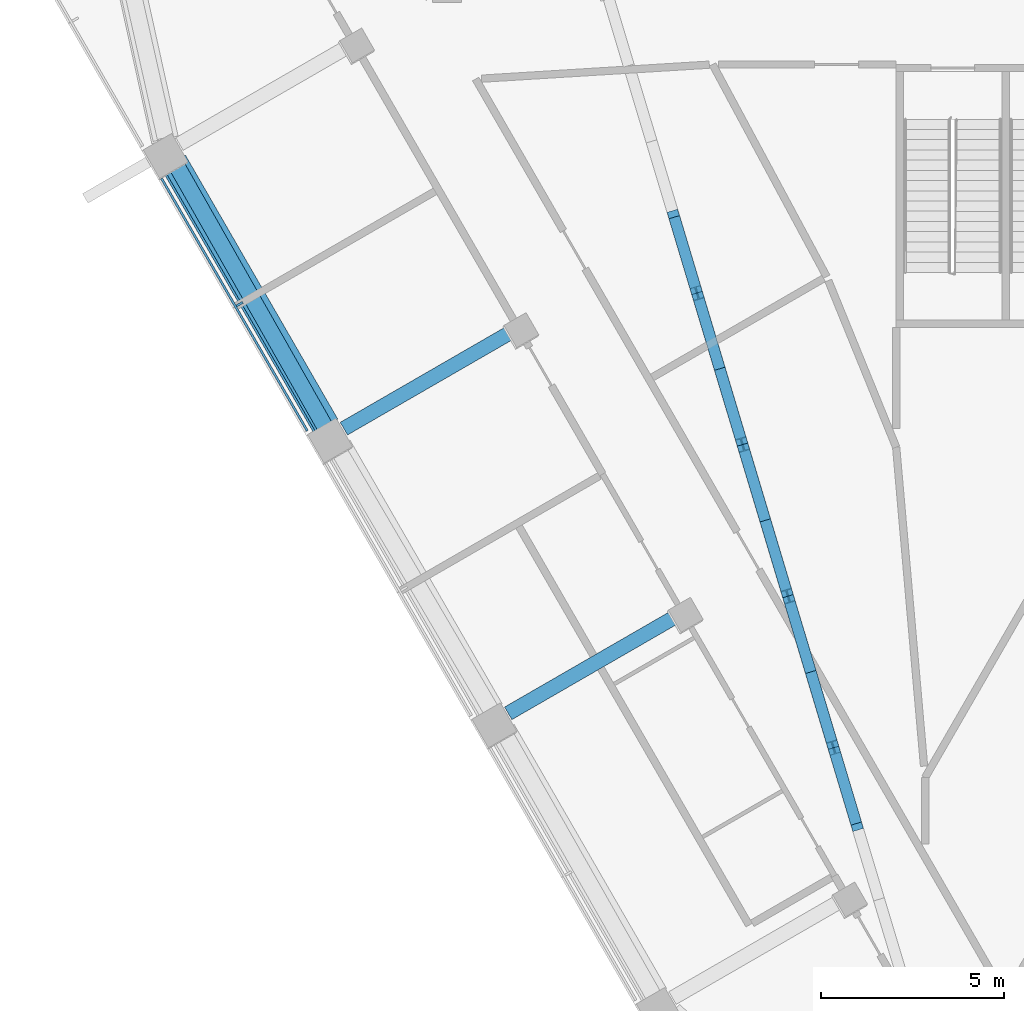
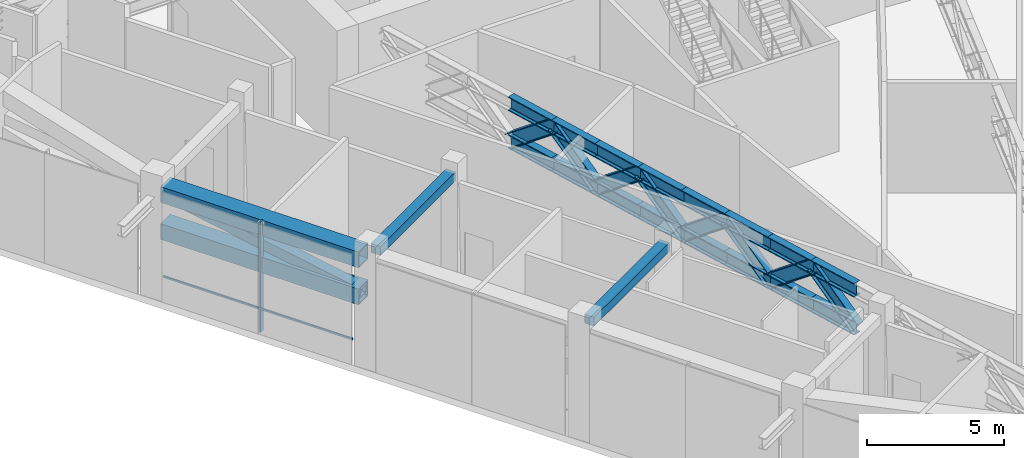
# One storey, part 3 of 15: 29 members, 2 beams, 1 element without a shape of its own.
"""IFC4 building model written with IfcOpenShell, lengths in metres."""

from ifc_helpers import new_model, si_unit, direction, frame, origin, origin_2d, place, context, subcontext, project, spatial, rectangle, hollow_rectangle, i_section, extrude, material, layer, layer_set, material_profile, profile_set, type_object, element, aggregate, save


model = new_model("IFC4")

# Units and contexts
model_context = context("Model", 3, precision=1e-05, world=origin(), true_north=direction((0.0, 1.0)))
body_context = subcontext(model_context, "Body", "Model", "MODEL_VIEW")
ifc_project = project(units=[si_unit("LENGTHUNIT", "METRE"), si_unit("AREAUNIT", "SQUARE_METRE"), si_unit("VOLUMEUNIT", "CUBIC_METRE"), si_unit("PLANEANGLEUNIT", "RADIAN"), si_unit("MASSUNIT", "GRAM", prefix="KILO")], contexts=[model_context])

# Site, building, storey
site_placement = place(None, origin())
site = spatial("IfcSite", under=ifc_project, at=site_placement, CompositionType="ELEMENT")
building_placement = place(site_placement, origin())
building = spatial("IfcBuilding", under=site, at=building_placement, Name="Altiplano Prism Tower", CompositionType="ELEMENT")
storey_placement = place(building_placement, frame((0.0, 0.0, 95.39990234375)))
storey = spatial("IfcBuildingStorey", under=building, at=storey_placement, Name="L24", CompositionType="ELEMENT", Elevation=95.39990234375)

# Members
ifc_material_1 = material(Name="Steel S355", Category="steel")
ifc_material_profile_1 = material_profile(ifc_material_1, hollow_rectangle(XDim=0.699951171875, YDim=0.699951171875, WallThickness=0.034912109375, at=origin_2d()), Name="Belt chord Box 700x700x35")
ifc_profile_set_1 = profile_set([ifc_material_profile_1], Name="Steel S355")
member_type_1 = type_object("IfcMemberType", Name="Belt chord Box 700x700x35", PredefinedType="CHORD", material=ifc_profile_set_1)
member_1_placement = place(storey_placement, frame((62.20361328125, 87.87646484375, 2.9501953125), z_axis=(0.499992746786, -0.866029591389, 0.0), x_axis=(0.866029591389, 0.499992746786, 0.0)))
element("IfcMember", 1, at=member_1_placement, inside=storey, type_object=member_type_1, Name="Belt truss R1 chord b6", PredefinedType="CHORD", context=body_context, shape_type="SweptSolid", body=[
    extrude(hollow_rectangle(XDim=0.699951171875, YDim=0.699951171875, WallThickness=0.034912109375, at=origin_2d()), origin(), (0.0, 0.0, 1.0), 8.33984375),
])
member_2_placement = place(storey_placement, frame((62.239013671875, 87.93798828125, 4.550048828125), z_axis=(0.500014701701, -0.866016915587, 0.0), x_axis=(0.866016915587, 0.500014701701, 0.0)))
element("IfcMember", 2, at=member_2_placement, inside=storey, type_object=member_type_1, Name="Belt truss R1 chord t6", PredefinedType="CHORD", context=body_context, shape_type="SweptSolid", body=[
    extrude(hollow_rectangle(XDim=0.699951171875, YDim=0.699951171875, WallThickness=0.034912109375, at=origin_2d()), origin(), (0.0, 0.0, 1.0), 8.340087890625),
])
ifc_material_profile_2 = material_profile(ifc_material_1, hollow_rectangle(XDim=0.449951171875, YDim=0.449951171875, WallThickness=0.02490234375, at=origin_2d()), Name="Belt diagonal Box 450x450x25")
ifc_profile_set_2 = profile_set([ifc_material_profile_2], Name="Steel S355")
member_type_2 = type_object("IfcMemberType", Name="Belt diagonal Box 450x450x25", PredefinedType="BRACE", material=ifc_profile_set_2)
member_3_placement = place(storey_placement, frame((62.237060546875, 87.93701171875, 4.49169921875), z_axis=(0.486525163526, -0.856090263258, -0.174363776085), x_axis=(0.869408465859, 0.494094039118, 0.0)))
element("IfcMember", 3, at=member_3_placement, inside=storey, type_object=member_type_2, Name="Belt truss R1 diagonal 6", PredefinedType="BRACE", context=body_context, shape_type="SweptSolid", body=[
    extrude(hollow_rectangle(XDim=0.449951171875, YDim=0.449951171875, WallThickness=0.02490234375, at=origin_2d()), origin(), (0.0, 0.0, 1.0), 8.506103515625),
])

# Curtain wall, members
ifc_material_2 = material(Name="Aluminium and glass", Category="aluminium")
ifc_layer = layer(ifc_material_2, 0.320068359375)
ifc_layer_set = layer_set([ifc_layer], Name="Aluminium and glass")
curtain_wall_type = type_object("IfcCurtainWallType", Name="CW6 louvred plant-floor curtain wall", PredefinedType="NOTDEFINED", material=ifc_layer_set)
curtain_wall_placement = place(storey_placement, origin())
curtain_wall = element("IfcCurtainWall", 4, at=curtain_wall_placement, inside=storey, type_object=curtain_wall_type, Name="CW6 curtain wall south-west face L24", PredefinedType="NOTDEFINED")
ifc_material_3 = material(Name="Aluminium", Category="aluminium")
ifc_material_profile_3 = material_profile(ifc_material_3, rectangle(XDim=0.199951171875, YDim=0.06005859375, at=origin_2d()), Name="CW6 mullion 60 x 200")
ifc_profile_set_3 = profile_set([ifc_material_profile_3], Name="Aluminium")
member_type_3 = type_object("IfcMemberType", Name="CW6 mullion 60 x 200", PredefinedType="MULLION", material=ifc_profile_set_3)
member_4_placement = place(storey_placement, frame((64.023681640625, 84.03662109375, 0.0), z_axis=(0.0, 0.0, 1.0), x_axis=(0.86602540498, 0.499999997929, 0.0)))
member_4 = element("IfcMember", 5, at=member_4_placement, type_object=member_type_3, Name="CW6 mullion", PredefinedType="MULLION", context=body_context, shape_type="SweptSolid", body=[
    extrude(rectangle(XDim=0.199951171875, YDim=0.06005859375, at=origin_2d()), origin(), (0.0, 0.0, 1.0), 4.900146484375),
])
ifc_material_profile_4 = material_profile(ifc_material_3, rectangle(XDim=0.06005859375, YDim=0.080078125, at=origin_2d()), Name="CW6 transom 80 x 60")
ifc_profile_set_4 = profile_set([ifc_material_profile_4], Name="Aluminium")
member_type_4 = type_object("IfcMemberType", Name="CW6 transom 80 x 60", PredefinedType="USERDEFINED", material=ifc_profile_set_4)
member_5_placement = place(storey_placement, frame((61.88623046875, 87.47900390625, 1.10009765625), z_axis=(0.499998759335, -0.866026120082, 0.0), x_axis=(0.866026120082, 0.499998759335, 0.0)))
member_5 = element("IfcMember", 6, at=member_5_placement, type_object=member_type_4, Name="CW6 transom", ObjectType="TRANSOM", PredefinedType="USERDEFINED", context=body_context, shape_type="SweptSolid", body=[
    extrude(rectangle(XDim=0.06005859375, YDim=0.080078125, at=origin_2d()), origin(), (0.0, 0.0, 1.0), 7.97998046875),
])
aggregate(curtain_wall, [member_4, member_5])

# Members
ifc_material_profile_5 = material_profile(ifc_material_1, i_section(OverallWidth=0.304931640625, OverallDepth=0.6201171875, WebThickness=0.02099609375, FlangeThickness=0.0400390625, FilletRadius=0.027099609375, at=origin_2d()), Name="Outrigger chord HEM 600")
ifc_profile_set_5 = profile_set([ifc_material_profile_5], Name="Steel S355")
member_type_5 = type_object("IfcMemberType", Name="Outrigger chord HEM 600", PredefinedType="CHORD", material=ifc_profile_set_5)
for number, where, z_axis, x_axis, name in (
    (7, (80.90771484375, 69.81494140625, 2.91015625), (-0.287451261687, 0.957795266304, 0.0), (-0.957795266304, -0.287451261687, 0.0), "Outrigger truss R1 3 chord b7"),
    (8, (80.90771484375, 69.81494140625, 4.590087890625), (-0.287451261687, 0.957795266304, 0.0), (-0.957795266304, -0.287451261687, 0.0), "Outrigger truss R1 3 chord t7"),
):
    element("IfcMember", number, at=place(storey_placement, frame(where, z_axis=z_axis, x_axis=x_axis)), inside=storey, type_object=member_type_5, Name=name, PredefinedType="CHORD", context=body_context, shape_type="SweptSolid", body=[
        extrude(i_section(OverallWidth=0.304931640625, OverallDepth=0.6201171875, WebThickness=0.02099609375, FlangeThickness=0.0400390625, FilletRadius=0.027099609375, at=origin_2d()), origin(), (0.0, 0.0, 1.0), 2.166748046875),
    ])
for number, where, z_axis, x_axis, name in (
    (9, (80.284912109375, 71.89013671875, 2.91015625), (-0.287420241393, 0.957804575494, 0.0), (-0.957804575494, -0.287420241393, 0.0), "Outrigger truss R1 3 chord b8"),
    (10, (80.284912109375, 71.89013671875, 4.590087890625), (-0.287420241393, 0.957804575494, 0.0), (-0.957804575494, -0.287420241393, 0.0), "Outrigger truss R1 3 chord t8"),
    (11, (79.662109375, 73.965576171875, 2.91015625), (-0.287420241393, 0.957804575494, 0.0), (-0.957804575494, -0.287420241393, 0.0), "Outrigger truss R1 3 chord b9"),
    (12, (79.662109375, 73.965576171875, 4.590087890625), (-0.287420241393, 0.957804575494, 0.0), (-0.957804575494, -0.287420241393, 0.0), "Outrigger truss R1 3 chord t9"),
):
    element("IfcMember", number, at=place(storey_placement, frame(where, z_axis=z_axis, x_axis=x_axis)), inside=storey, type_object=member_type_5, Name=name, PredefinedType="CHORD", context=body_context, shape_type="SweptSolid", body=[
        extrude(i_section(OverallWidth=0.304931640625, OverallDepth=0.6201171875, WebThickness=0.02099609375, FlangeThickness=0.0400390625, FilletRadius=0.027099609375, at=origin_2d()), origin(), (0.0, 0.0, 1.0), 2.1669921875),
    ])
for number, where, z_axis, x_axis, name in (
    (13, (79.039306640625, 76.041015625, 2.91015625), (-0.287451261687, 0.957795266304, 0.0), (-0.957795266304, -0.287451261687, 0.0), "Outrigger truss R1 3 chord b10"),
    (14, (79.039306640625, 76.041015625, 4.590087890625), (-0.287451261687, 0.957795266304, 0.0), (-0.957795266304, -0.287451261687, 0.0), "Outrigger truss R1 3 chord t10"),
):
    element("IfcMember", number, at=place(storey_placement, frame(where, z_axis=z_axis, x_axis=x_axis)), inside=storey, type_object=member_type_5, Name=name, PredefinedType="CHORD", context=body_context, shape_type="SweptSolid", body=[
        extrude(i_section(OverallWidth=0.304931640625, OverallDepth=0.6201171875, WebThickness=0.02099609375, FlangeThickness=0.0400390625, FilletRadius=0.027099609375, at=origin_2d()), origin(), (0.0, 0.0, 1.0), 2.166748046875),
    ])
for number, where, z_axis, x_axis, name in (
    (15, (78.41650390625, 78.1162109375, 2.91015625), (-0.287420241393, 0.957804575494, 0.0), (-0.957804575494, -0.287420241393, 0.0), "Outrigger truss R1 3 chord b11"),
    (16, (78.41650390625, 78.1162109375, 4.590087890625), (-0.287420241393, 0.957804575494, 0.0), (-0.957804575494, -0.287420241393, 0.0), "Outrigger truss R1 3 chord t11"),
):
    element("IfcMember", number, at=place(storey_placement, frame(where, z_axis=z_axis, x_axis=x_axis)), inside=storey, type_object=member_type_5, Name=name, PredefinedType="CHORD", context=body_context, shape_type="SweptSolid", body=[
        extrude(i_section(OverallWidth=0.304931640625, OverallDepth=0.6201171875, WebThickness=0.02099609375, FlangeThickness=0.0400390625, FilletRadius=0.027099609375, at=origin_2d()), origin(), (0.0, 0.0, 1.0), 2.1669921875),
    ])
for number, where, z_axis, x_axis, name in (
    (17, (77.793701171875, 80.191650390625, 2.91015625), (-0.287451261687, 0.957795266304, 0.0), (-0.957795266304, -0.287451261687, 0.0), "Outrigger truss R1 3 chord b12"),
    (18, (77.793701171875, 80.191650390625, 4.590087890625), (-0.287451261687, 0.957795266304, 0.0), (-0.957795266304, -0.287451261687, 0.0), "Outrigger truss R1 3 chord t12"),
):
    element("IfcMember", number, at=place(storey_placement, frame(where, z_axis=z_axis, x_axis=x_axis)), inside=storey, type_object=member_type_5, Name=name, PredefinedType="CHORD", context=body_context, shape_type="SweptSolid", body=[
        extrude(i_section(OverallWidth=0.304931640625, OverallDepth=0.6201171875, WebThickness=0.02099609375, FlangeThickness=0.0400390625, FilletRadius=0.027099609375, at=origin_2d()), origin(), (0.0, 0.0, 1.0), 2.166748046875),
    ])
for number, where, z_axis, x_axis, name in (
    (19, (77.1708984375, 82.266845703125, 2.91015625), (-0.287420241393, 0.957804575494, 0.0), (-0.957804575494, -0.287420241393, 0.0), "Outrigger truss R1 3 chord b13"),
    (20, (77.1708984375, 82.266845703125, 4.590087890625), (-0.287420241393, 0.957804575494, 0.0), (-0.957804575494, -0.287420241393, 0.0), "Outrigger truss R1 3 chord t13"),
    (21, (76.548095703125, 84.34228515625, 2.91015625), (-0.287420241393, 0.957804575494, 0.0), (-0.957804575494, -0.287420241393, 0.0), "Outrigger truss R1 3 chord b14"),
    (22, (76.548095703125, 84.34228515625, 4.590087890625), (-0.287420241393, 0.957804575494, 0.0), (-0.957804575494, -0.287420241393, 0.0), "Outrigger truss R1 3 chord t14"),
):
    element("IfcMember", number, at=place(storey_placement, frame(where, z_axis=z_axis, x_axis=x_axis)), inside=storey, type_object=member_type_5, Name=name, PredefinedType="CHORD", context=body_context, shape_type="SweptSolid", body=[
        extrude(i_section(OverallWidth=0.304931640625, OverallDepth=0.6201171875, WebThickness=0.02099609375, FlangeThickness=0.0400390625, FilletRadius=0.027099609375, at=origin_2d()), origin(), (0.0, 0.0, 1.0), 2.1669921875),
    ])
ifc_material_profile_6 = material_profile(ifc_material_1, i_section(OverallWidth=0.300048828125, OverallDepth=0.60009765625, WebThickness=0.015380859375, FlangeThickness=0.030029296875, FilletRadius=0.027099609375, at=origin_2d()), Name="Outrigger diagonal HEB 600")
ifc_profile_set_6 = profile_set([ifc_material_profile_6], Name="Steel S355")
member_type_6 = type_object("IfcMemberType", Name="Outrigger diagonal HEB 600", PredefinedType="BRACE", material=ifc_profile_set_6)
for number, where, z_axis, x_axis, name in (
    (23, (80.90771484375, 69.81494140625, 2.91015625), (-0.227165823372, 0.756922578855, 0.612751090012), (-0.957795266304, -0.287451261687, 0.0), "Outrigger truss R1 3 diagonal 7"),
    (24, (80.284912109375, 71.89013671875, 4.590087890625), (-0.227150512193, 0.756960605313, -0.612709790043), (-0.957804575494, -0.287420241393, 0.0), "Outrigger truss R1 3 diagonal 8"),
    (25, (79.662109375, 73.965576171875, 2.91015625), (-0.227150512193, 0.756960605313, 0.612709790043), (-0.957804575494, -0.287420241393, 0.0), "Outrigger truss R1 3 diagonal 9"),
    (26, (79.039306640625, 76.041015625, 4.590087890625), (-0.227165823372, 0.756922578855, -0.612751090012), (-0.957795266304, -0.287451261687, 0.0), "Outrigger truss R1 3 diagonal 10"),
    (27, (78.41650390625, 78.1162109375, 2.91015625), (-0.227150512193, 0.756960605313, 0.612709790043), (-0.957804575494, -0.287420241393, 0.0), "Outrigger truss R1 3 diagonal 11"),
    (28, (77.793701171875, 80.191650390625, 4.590087890625), (-0.227165823372, 0.756922578855, -0.612751090012), (-0.957795266304, -0.287451261687, 0.0), "Outrigger truss R1 3 diagonal 12"),
    (29, (77.1708984375, 82.266845703125, 2.91015625), (-0.227150512193, 0.756960605313, 0.612709790043), (-0.957804575494, -0.287420241393, 0.0), "Outrigger truss R1 3 diagonal 13"),
    (30, (76.548095703125, 84.34228515625, 4.590087890625), (-0.227150512193, 0.756960605313, -0.612709790043), (-0.957804575494, -0.287420241393, 0.0), "Outrigger truss R1 3 diagonal 14"),
):
    element("IfcMember", number, at=place(storey_placement, frame(where, z_axis=z_axis, x_axis=x_axis)), inside=storey, type_object=member_type_6, Name=name, PredefinedType="BRACE", context=body_context, shape_type="SweptSolid", body=[
        extrude(i_section(OverallWidth=0.300048828125, OverallDepth=0.60009765625, WebThickness=0.015380859375, FlangeThickness=0.030029296875, FilletRadius=0.027099609375, at=origin_2d()), origin(), (0.0, 0.0, 1.0), 2.74169921875),
    ])

# Beams
ifc_material_4 = material(Name="Concrete C60/75", Category="concrete")
ifc_material_profile_7 = material_profile(ifc_material_4, rectangle(XDim=0.39990234375, YDim=0.39990234375, at=origin_2d()), Name="Tie beam 400x400")
ifc_profile_set_7 = profile_set([ifc_material_profile_7], Name="Concrete C60/75")
beam_type = type_object("IfcBeamType", Name="Tie beam 400x400", PredefinedType="BEAM", material=ifc_profile_set_7)
for number, where, z_axis, x_axis, name in (
    (31, (71.63330078125, 83.372314453125, 4.7001953125), (-0.866023410697, -0.500003452112, 0.0), (0.500003452112, -0.866023410697, 0.0), "Tie beam I12 L25"),
    (32, (76.13330078125, 75.578125, 4.7001953125), (-0.866023410697, -0.500003452112, 0.0), (0.500003452112, -0.866023410697, 0.0), "Tie beam I13 L25"),
):
    element("IfcBeam", number, at=place(storey_placement, frame(where, z_axis=z_axis, x_axis=x_axis)), inside=storey, type_object=beam_type, Name=name, PredefinedType="BEAM", context=body_context, shape_type="SweptSolid", body=[
        extrude(rectangle(XDim=0.39990234375, YDim=0.39990234375, at=origin_2d()), origin(), (0.0, 0.0, 1.0), 5.490234375),
    ])

save(model, "model.ifc")
